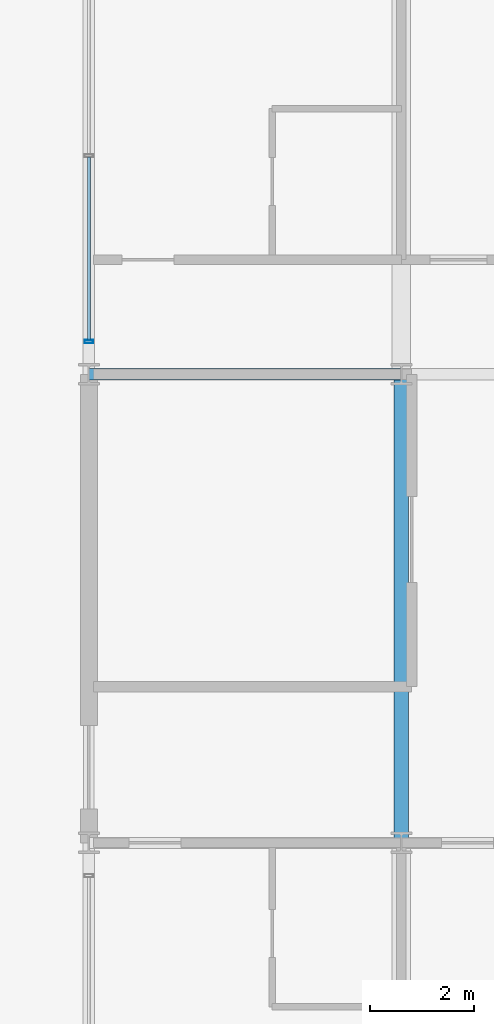
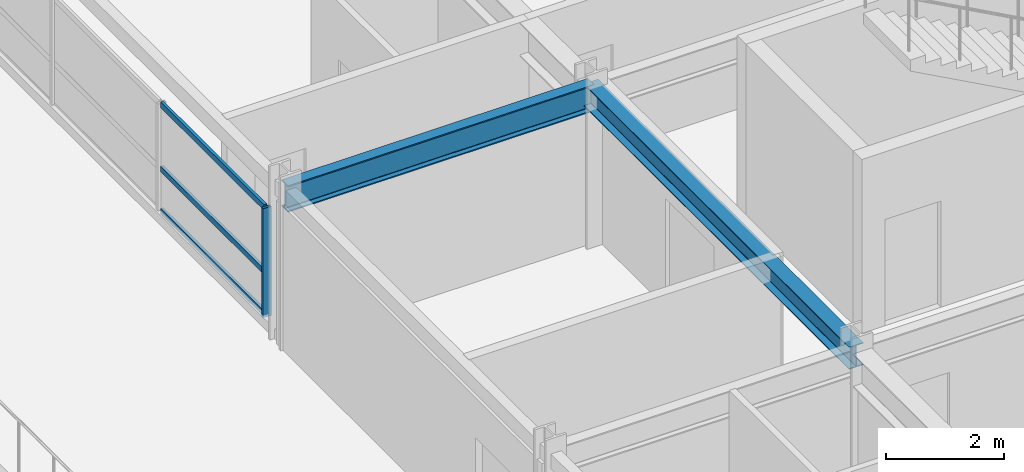
# One storey, part 6 of 21: 4 members, 2 beams, 1 element without a shape of its own.
"""IFC4 building model written with IfcOpenShell, lengths in metres."""

from ifc_helpers import new_model, si_unit, direction, frame, origin, origin_2d, place, context, subcontext, project, spatial, hollow_rectangle, i_section, extrude, material, material_profile, profile_set, type_object, element, aggregate, save


model = new_model("IFC4")

# Units and contexts
model_context = context("Model", 3, precision=1e-05, world=origin(), true_north=direction((0.0, 1.0)))
body_context = subcontext(model_context, "Body", "Model", "MODEL_VIEW")
ifc_project = project(units=[si_unit("LENGTHUNIT", "METRE"), si_unit("AREAUNIT", "SQUARE_METRE"), si_unit("VOLUMEUNIT", "CUBIC_METRE"), si_unit("PLANEANGLEUNIT", "RADIAN"), si_unit("MASSUNIT", "GRAM", prefix="KILO")], contexts=[model_context])

# Site, building, storey
site_placement = place(None, origin())
site = spatial("IfcSite", under=ifc_project, at=site_placement, CompositionType="ELEMENT")
building_placement = place(site_placement, origin())
building = spatial("IfcBuilding", under=site, at=building_placement, Name="Kaldorvane Square Convention Centre", CompositionType="ELEMENT")
storey_placement = place(building_placement, frame((0.0, 0.0, 49.19999694824219)))
storey = spatial("IfcBuildingStorey", under=building, at=storey_placement, Name="L11", CompositionType="ELEMENT", Elevation=49.19999694824219)

# Beams
ifc_material_1 = material(Name="Steel ASTM A992 Gr. 50", Category="steel")
ifc_material_profile_1 = material_profile(ifc_material_1, i_section(OverallWidth=0.213897705078125, OverallDepth=0.549102783203125, WebThickness=0.0146942138671875, FlangeThickness=0.0236053466796875, FilletRadius=0.0126953125, at=origin_2d()), Name="W21X93")
ifc_profile_set_1 = profile_set([ifc_material_profile_1], Name="Steel ASTM A992 Gr. 50")
beam_type_1 = type_object("IfcBeamType", Name="BM-GR-W21X93", PredefinedType="BEAM", material=ifc_profile_set_1)
beam_1_placement = place(storey_placement, frame((30.0, 105.0, 3.011505126953125), z_axis=(1.0, 0.0, 0.0), x_axis=(0.0, 1.0, 0.0)))
element("IfcBeam", 1, at=beam_1_placement, inside=storey, type_object=beam_type_1, Name="Primary Girder (L11)", PredefinedType="BEAM", context=body_context, shape_type="SweptSolid", body=[
    extrude(i_section(OverallWidth=0.213897705078125, OverallDepth=0.549102783203125, WebThickness=0.0146942138671875, FlangeThickness=0.0236053466796875, FilletRadius=0.0126953125, at=origin_2d()), origin(), (0.0, 0.0, 1.0), 6.0),
])
ifc_material_profile_2 = material_profile(ifc_material_1, i_section(OverallWidth=0.2799072265625, OverallDepth=0.462799072265625, WebThickness=0.01080322265625, FlangeThickness=0.017303466796875, FilletRadius=0.01019287109375, at=origin_2d()), Name="W18X76")
ifc_profile_set_2 = profile_set([ifc_material_profile_2], Name="Steel ASTM A992 Gr. 50")
beam_type_2 = type_object("IfcBeamType", Name="BM-JS-W18X76", PredefinedType="JOIST", material=ifc_profile_set_2)
beam_2_placement = place(storey_placement, frame((36.0, 96.0, 3.054595947265625), z_axis=(0.0, 1.0, 0.0), x_axis=(-1.0, 0.0, 0.0)))
element("IfcBeam", 2, at=beam_2_placement, inside=storey, type_object=beam_type_2, Name="Transverse Girder (L11)", PredefinedType="JOIST", context=body_context, shape_type="SweptSolid", body=[
    extrude(i_section(OverallWidth=0.2799072265625, OverallDepth=0.462799072265625, WebThickness=0.01080322265625, FlangeThickness=0.017303466796875, FilletRadius=0.01019287109375, at=origin_2d()), origin(), (0.0, 0.0, 1.0), 9.0),
])

# Curtain wall, members
ifc_material_2 = material(Name="Anodized Aluminum and Low-E Insulated Glazing", Category="aluminium")
curtain_wall_type = type_object("IfcCurtainWallType", Name="CW-UNI-HTL-B", PredefinedType="USERDEFINED", material=ifc_material_2)
curtain_wall_placement = place(storey_placement, origin())
curtain_wall = element("IfcCurtainWall", 3, at=curtain_wall_placement, inside=storey, type_object=curtain_wall_type, Name="Curtain Wall CW-11 (L11)", ObjectType="UNITISED GLAZING", PredefinedType="USERDEFINED")
ifc_material_profile_3 = material_profile(ifc_material_2, hollow_rectangle(XDim=0.05999755859375, YDim=0.160003662109375, WallThickness=0.003204345703125, at=origin_2d()), Name="CWM-160X60")
ifc_profile_set_3 = profile_set([ifc_material_profile_3], Name="Anodized Aluminum and Low-E Insulated Glazing")
member_type_1 = type_object("IfcMemberType", Name="CW-MUL-160", PredefinedType="MULLION", material=ifc_profile_set_3)
member_1_placement = place(storey_placement, frame((30.0, 105.6300048828125, 0.1500091552734375), z_axis=(0.0, 0.0, 1.0), x_axis=(0.0, -1.0, 0.0)))
member_1 = element("IfcMember", 4, at=member_1_placement, type_object=member_type_1, Name="CW-11 mullion 4", PredefinedType="MULLION", context=body_context, shape_type="SweptSolid", body=[
    extrude(hollow_rectangle(XDim=0.05999755859375, YDim=0.160003662109375, WallThickness=0.003204345703125, at=origin_2d()), origin(), (0.0, 0.0, 1.0), 2.2599945068359375),
])
ifc_material_profile_4 = material_profile(ifc_material_2, hollow_rectangle(XDim=0.05499267578125, YDim=0.1199951171875, WallThickness=0.0030059814453125, at=origin_2d()), Name="CWT-120X55")
ifc_profile_set_4 = profile_set([ifc_material_profile_4], Name="Anodized Aluminum and Low-E Insulated Glazing")
member_type_2 = type_object("IfcMemberType", Name="CW-TRN-120", PredefinedType="USERDEFINED", material=ifc_profile_set_4)
member_2_placement = place(storey_placement, frame((30.0, 109.16999816894531, 0.1775054931640625), z_axis=(0.0, -1.0, 0.0), x_axis=(1.0, 0.0, 0.0)))
member_2 = element("IfcMember", 5, at=member_2_placement, type_object=member_type_2, Name="CW-11 transom 3.1", ObjectType="TRANSOM", PredefinedType="USERDEFINED", context=body_context, shape_type="SweptSolid", body=[
    extrude(hollow_rectangle(XDim=0.05499267578125, YDim=0.1199951171875, WallThickness=0.0030059814453125, at=origin_2d()), origin(), (0.0, 0.0, 1.0), 3.5099945068359375),
])
member_3_placement = place(storey_placement, frame((30.0, 109.16999816894531, 1.0500030517578125), z_axis=(0.0, -1.0, 0.0), x_axis=(1.0, 0.0, 0.0)))
member_3 = element("IfcMember", 6, at=member_3_placement, type_object=member_type_2, Name="CW-11 transom 3.2", ObjectType="TRANSOM", PredefinedType="USERDEFINED", context=body_context, shape_type="SweptSolid", body=[
    extrude(hollow_rectangle(XDim=0.05499267578125, YDim=0.1199951171875, WallThickness=0.0030059814453125, at=origin_2d()), origin(), (0.0, 0.0, 1.0), 3.5099945068359375),
])
member_4_placement = place(storey_placement, frame((30.0, 109.16999816894531, 2.38250732421875), z_axis=(0.0, -1.0, 0.0), x_axis=(1.0, 0.0, 0.0)))
member_4 = element("IfcMember", 7, at=member_4_placement, type_object=member_type_2, Name="CW-11 transom 3.3", ObjectType="TRANSOM", PredefinedType="USERDEFINED", context=body_context, shape_type="SweptSolid", body=[
    extrude(hollow_rectangle(XDim=0.05499267578125, YDim=0.1199951171875, WallThickness=0.0030059814453125, at=origin_2d()), origin(), (0.0, 0.0, 1.0), 3.5099945068359375),
])
aggregate(curtain_wall, [member_1, member_2, member_3, member_4])

save(model, "model.ifc")
